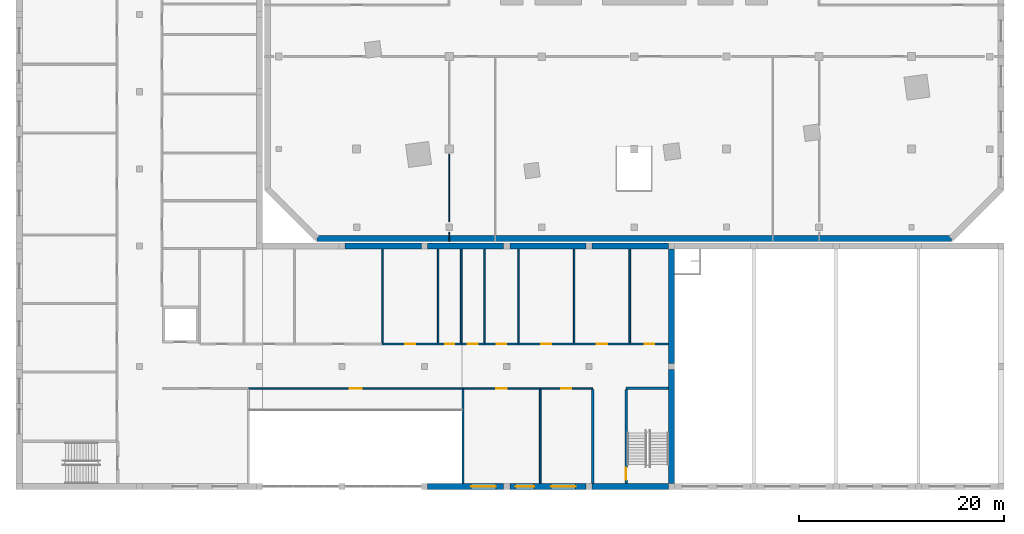
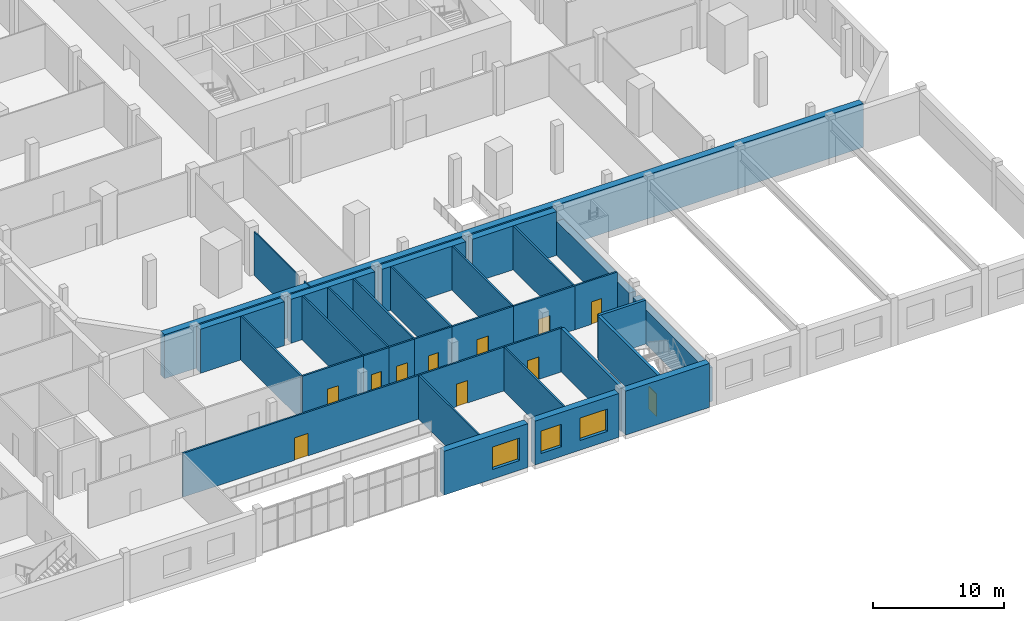
# One storey, part 10 of 27: 34 walls, 11 doors, 3 windows, 14 openings.
"""IFC4 building model written with IfcOpenShell, lengths in metres."""

import ifcopenshell
import ifcopenshell.guid

model = None  # the IFC model being written
_history = None  # IfcOwnerHistory: only IFC2X3 demands one
_inside = {}  # id of a spatial element -> (the spatial element, [elements in it])
_under = {}  # id of a project, library or spatial element -> (it, [spatial elements below it])
_declared = {}  # id of a project -> (the project, [libraries it declares])
_typed = {}  # id of a type object -> (the type object, [elements of that type])
_made_of = {}  # id of a material, layer set ... -> (it, [elements and type objects made of it])


def new_model(schema):
    """Start an empty IFC model of exactly this schema.

    Asked for "IFC4X3", IfcOpenShell would pick the latest addendum, in which some entities
    have other attributes; the version numbers below select the first issue.
    IFC2X3 requires an IfcOwnerHistory on every rooted entity: one is made here for all.
    """
    global model, _history
    if schema == "IFC4X3":
        model = ifcopenshell.file(schema_version=(4, 3, 0, 0))
    else:
        model = ifcopenshell.file(schema=schema)
    _inside.clear()
    _under.clear()
    _declared.clear()
    _typed.clear()
    _made_of.clear()
    _history = None
    if model.schema == "IFC2X3":
        org = make("IfcOrganization", Name="unknown")
        user = make(
            "IfcPersonAndOrganization",
            ThePerson=make("IfcPerson", FamilyName="unknown"),
            TheOrganization=org,
        )
        app = make(
            "IfcApplication",
            ApplicationDeveloper=org,
            Version="unknown",
            ApplicationFullName="unknown",
            ApplicationIdentifier="unknown",
        )
        _history = make(
            "IfcOwnerHistory",
            OwningUser=user,
            OwningApplication=app,
            ChangeAction="ADDED",
            CreationDate=0,
        )
    return model


def make(cls, **values):
    """One entity of the class cls with the attributes given. An attribute that is None is left unset."""
    return model.create_entity(
        cls, **{name: value for name, value in values.items() if value is not None}
    )


def rooted(cls, **values):
    """An entity with a GlobalId (a new one), such as an element, a storey or a relation."""
    return make(cls, GlobalId=ifcopenshell.guid.new(), OwnerHistory=_history, **values)


def si_unit(unit_type, name, prefix=None):
    """IfcSIUnit, for example si_unit("LENGTHUNIT", "METRE", prefix="MILLI")."""
    return make("IfcSIUnit", UnitType=unit_type, Prefix=prefix, Name=name)


def assignment(units):
    """IfcUnitAssignment: the units of a project."""
    return None if units is None else make("IfcUnitAssignment", Units=units)


def point(xyz):
    """IfcCartesianPoint."""
    return None if xyz is None else make("IfcCartesianPoint", Coordinates=xyz)


def direction(xyz):
    """IfcDirection."""
    return None if xyz is None else make("IfcDirection", DirectionRatios=xyz)


def frame(location, z_axis=None, x_axis=None):
    """IfcAxis2Placement3D, a coordinate frame: its origin and axes. An axis left out is left unset."""
    return make(
        "IfcAxis2Placement3D",
        Location=point(location),
        Axis=direction(z_axis),
        RefDirection=direction(x_axis),
    )


def frame_2d(location, x_axis=None):
    """IfcAxis2Placement2D, a coordinate frame in the plane: its origin and x axis."""
    return make(
        "IfcAxis2Placement2D", Location=point(location), RefDirection=direction(x_axis)
    )


def origin():
    """The frame at (0, 0, 0) with its axes left unset."""
    return frame((0.0, 0.0, 0.0))


def place(relative_to, where):
    """IfcLocalPlacement: puts the frame where relative to a parent placement (None: the world)."""
    return make(
        "IfcLocalPlacement", PlacementRelTo=relative_to, RelativePlacement=where
    )


def context(
    kind, dimensions, precision=None, world=None, true_north=None, identifier=None
):
    """IfcGeometricRepresentationContext, for example the 3D "Model" context."""
    return make(
        "IfcGeometricRepresentationContext",
        ContextIdentifier=identifier,
        ContextType=kind,
        CoordinateSpaceDimension=dimensions,
        Precision=precision,
        WorldCoordinateSystem=world,
        TrueNorth=true_north,
    )


def subcontext(parent, identifier, kind, view, scale=None):
    """IfcGeometricRepresentationSubContext, for example "Body" below "Model"."""
    return make(
        "IfcGeometricRepresentationSubContext",
        ContextIdentifier=identifier,
        ContextType=kind,
        ParentContext=parent,
        TargetScale=scale,
        TargetView=view,
    )


def project(units=None, contexts=None):
    """IfcProject with its units and contexts."""
    return rooted(
        "IfcProject",
        Name="project",
        RepresentationContexts=contexts,
        UnitsInContext=assignment(units),
    )


def spatial(cls, under=None, at=None, **own):
    """A site, building, storey or space (cls), placed at a placement, below another one or the project."""
    s = rooted(cls, ObjectPlacement=at, **own)
    if under is not None:
        _under.setdefault(under.id(), (under, []))[1].append(s)
    return s


def profile(cls, at=None, kind="AREA", **sizes):
    """A parametric profile (cls). Its sizes go by their IFC names, for example OverallWidth=200.0."""
    return make(cls, ProfileType=kind, Position=at, **sizes)


def rectangle(**sizes):
    """IfcRectangleProfileDef."""
    return profile("IfcRectangleProfileDef", **sizes)


def extrude(swept, where, along, depth):
    """IfcExtrudedAreaSolid: the profile swept, set in the frame where, extruded along a direction by depth."""
    return make(
        "IfcExtrudedAreaSolid",
        SweptArea=swept,
        Position=where,
        ExtrudedDirection=direction(along),
        Depth=depth,
    )


def shape(context_of_items, identifier, shape_type, items):
    """IfcShapeRepresentation: the items that make up one representation, for example the "Body"."""
    return make(
        "IfcShapeRepresentation",
        ContextOfItems=context_of_items,
        RepresentationIdentifier=identifier,
        RepresentationType=shape_type,
        Items=items,
    )


def material(Name=None, Category=None):
    """IfcMaterial."""
    return make("IfcMaterial", Name=Name, Category=Category)


def layer(
    of_material, thickness, ventilated=None, Name=None, Category=None, Priority=None
):
    """IfcMaterialLayer: one layer of a wall or slab, of a material (None: an air gap)."""
    return make(
        "IfcMaterialLayer",
        Material=of_material,
        LayerThickness=thickness,
        IsVentilated=ventilated,
        Name=Name,
        Category=Category,
        Priority=Priority,
    )


def layer_set(layers, Name=None):
    """IfcMaterialLayerSet."""
    return make("IfcMaterialLayerSet", MaterialLayers=layers, LayerSetName=Name)


def made_of(thing, what):
    """Note that an element or type object is made of a material, layer set ...; save() writes the relation."""
    if what is not None:
        _made_of.setdefault(what.id(), (what, []))[1].append(thing)
    return thing


def type_object(cls, material=None, **own):
    """A type object (cls), such as IfcWallType, which elements share."""
    return made_of(rooted(cls, **own), material)


def element(
    cls,
    number,
    at=None,
    inside=None,
    cuts=None,
    type_object=None,
    material=None,
    context=None,
    identifier="Body",
    shape_type=None,
    held_by="IfcProductDefinitionShape",
    body=None,
    shapes=None,
    **own,
):
    """One element of the class cls, such as IfcWall. Its Tag is "e" and its number.

    at: its placement. inside: the storey or other place that contains it. cuts: it is an
    opening in that element (IfcRelVoidsElement). A single representation is given by context,
    identifier, shape_type and body (its items); several are given by shapes. held_by: the class
    of the entity that holds the representations. save() writes the other relations.
    """
    e = rooted(cls, Tag="e%d" % number, ObjectPlacement=at, **own)
    if body is not None:
        shapes = [shape(context, identifier, shape_type, body)]
    if shapes is not None:
        e.Representation = make(held_by, Representations=shapes)
    if inside is not None:
        _inside.setdefault(inside.id(), (inside, []))[1].append(e)
    if cuts is not None:
        rooted(
            "IfcRelVoidsElement", RelatingBuildingElement=cuts, RelatedOpeningElement=e
        )
    if type_object is not None:
        _typed.setdefault(type_object.id(), (type_object, []))[1].append(e)
    return made_of(e, material)


def fill(opening, filler):
    """IfcRelFillsElement: the door or window that sits in an opening."""
    return rooted(
        "IfcRelFillsElement",
        RelatingOpeningElement=opening,
        RelatedBuildingElement=filler,
    )


def aggregate(whole, parts):
    """IfcRelAggregates: a whole, such as a stair, and the parts it consists of."""
    return rooted("IfcRelAggregates", RelatingObject=whole, RelatedObjects=parts)


def save(model, path):
    """Write the relations noted so far, then the file.

    IfcRelAggregates (storeys below a building ...), IfcRelContainedInSpatialStructure (elements
    in a storey), IfcRelDefinesByType, IfcRelAssociatesMaterial and IfcRelDeclares: one each for
    every whole, place, type object, material and project.
    """
    for whole, parts in _under.values():
        aggregate(whole, parts)
    for where, things in _inside.values():
        rooted(
            "IfcRelContainedInSpatialStructure",
            RelatedElements=things,
            RelatingStructure=where,
        )
    for kind, things in _typed.values():
        rooted("IfcRelDefinesByType", RelatedObjects=things, RelatingType=kind)
    for what, things in _made_of.values():
        rooted("IfcRelAssociatesMaterial", RelatedObjects=things, RelatingMaterial=what)
    for by, libraries in _declared.values():
        rooted("IfcRelDeclares", RelatingContext=by, RelatedDefinitions=libraries)
    model.write(path)


model = new_model("IFC4")

# Units and contexts
model_context = context("Model", 3, precision=1e-05, world=origin(), true_north=direction((0.0, 1.0)))
body_context = subcontext(model_context, "Body", "Model", "MODEL_VIEW")
ifc_project = project(units=[si_unit("LENGTHUNIT", "METRE"), si_unit("AREAUNIT", "SQUARE_METRE"), si_unit("VOLUMEUNIT", "CUBIC_METRE"), si_unit("PLANEANGLEUNIT", "RADIAN"), si_unit("MASSUNIT", "GRAM", prefix="KILO")], contexts=[model_context])

# Site, building, storey
site_placement = place(None, origin())
site = spatial("IfcSite", under=ifc_project, at=site_placement, CompositionType="ELEMENT")
building_placement = place(site_placement, origin())
building = spatial("IfcBuilding", under=site, at=building_placement, Name="Dilmun Exchange Tower", CompositionType="ELEMENT")
storey_placement = place(building_placement, frame((0.0, 0.0, 4.5)))
storey = spatial("IfcBuildingStorey", under=building, at=storey_placement, Name="L01", CompositionType="ELEMENT", Elevation=4.5)

# Walls
ifc_material_1 = material(Name="Partition 100 gypsum")
ifc_layer_1 = layer(ifc_material_1, 0.10009765625)
ifc_layer_set_1 = layer_set([ifc_layer_1], Name="Partition 100 gypsum")
wall_type_1 = type_object("IfcWallType", Name="Partition 100 gypsum", PredefinedType="PARTITIONING", material=ifc_layer_set_1)
wall_1_placement = place(storey_placement, frame((-18.0, -36.0, 0.0), z_axis=(0.0, 0.0, 1.0), x_axis=(0.0, 1.0, 0.0)))
element("IfcWall", 1, at=wall_1_placement, inside=storey, type_object=wall_type_1, Name="L01 partition", PredefinedType="PARTITIONING", context=body_context, shape_type="SweptSolid", body=[
    extrude(rectangle(XDim=0.89990234375, YDim=0.10009765625, at=frame_2d((0.449951171875, 0.0))), origin(), (0.0, 0.0, 1.0), 4.10009765625),
])
wall_2_placement = place(storey_placement, frame((-18.0, -34.10009765625, 0.0), z_axis=(0.0, 0.0, 1.0), x_axis=(0.0, 1.0, 0.0)))
element("IfcWall", 2, at=wall_2_placement, inside=storey, type_object=wall_type_1, Name="L01 partition", PredefinedType="PARTITIONING", context=body_context, shape_type="SweptSolid", body=[
    extrude(rectangle(XDim=6.60009765625, YDim=0.10009765625, at=frame_2d((3.300048828125, 0.0))), origin(), (0.0, 0.0, 1.0), 4.10009765625),
])
ifc_material_2 = material(Name="Precast concrete C50/60", Category="concrete")
ifc_layer_2 = layer(ifc_material_2, 0.60009765625)
ifc_layer_set_2 = layer_set([ifc_layer_2], Name="Precast concrete C50/60")
wall_type_2 = type_object("IfcWallType", Name="Precast stone-clad wall 600", PredefinedType="STANDARD", material=ifc_layer_set_2)
wall_3_placement = place(storey_placement, frame((-30.875732421875, -35.699951171875, 0.0), z_axis=(0.0, 0.0, 1.0), x_axis=(1.0, 0.0, 0.0)))
element("IfcWall", 3, at=wall_3_placement, inside=storey, type_object=wall_type_2, Name="Facade wall L01-00-0", PredefinedType="STANDARD", context=body_context, shape_type="SweptSolid", body=[
    extrude(rectangle(XDim=61.75146484375, YDim=0.60009765625, at=frame_2d((30.875732421875, 0.0))), origin(), (0.0, 0.0, 1.0), 4.10009765625),
])
ifc_material_3 = material(Name="Precast concrete C40/50", Category="concrete")
ifc_layer_3 = layer(ifc_material_3, 0.60009765625)
ifc_layer_set_3 = layer_set([ifc_layer_3], Name="Precast concrete C40/50")
wall_type_3 = type_object("IfcWallType", Name="School external wall 600 precast C40/50", PredefinedType="STANDARD", material=ifc_layer_set_3)
wall_4_placement = place(storey_placement, frame((-28.13330078125, -36.449951171875, 0.0), z_axis=(0.0, 0.0, 1.0), x_axis=(1.0, 0.0, 0.0)))
element("IfcWall", 4, at=wall_4_placement, inside=storey, type_object=wall_type_3, Name="School external wall", PredefinedType="STANDARD", context=body_context, shape_type="SweptSolid", body=[
    extrude(rectangle(XDim=7.41650390625, YDim=0.60009765625, at=frame_2d((3.708251953125, 0.0))), origin(), (0.0, 0.0, 1.0), 4.10009765625),
])
for number, where, z_axis, x_axis, name in (
    (5, (-20.11669921875, -36.449951171875, 0.0), (0.0, 0.0, 1.0), (1.0, 0.0, 0.0), "School external wall"),
    (6, (-12.10009765625, -36.449951171875, 0.0), (0.0, 0.0, 1.0), (1.0, 0.0, 0.0), "School external wall"),
):
    element("IfcWall", number, at=place(storey_placement, frame(where, z_axis=z_axis, x_axis=x_axis)), inside=storey, type_object=wall_type_3, Name=name, PredefinedType="STANDARD", context=body_context, shape_type="SweptSolid", body=[
        extrude(rectangle(XDim=7.416748046875, YDim=0.60009765625, at=frame_2d((3.70849609375, 0.0))), origin(), (0.0, 0.0, 1.0), 4.10009765625),
    ])
for number, where, z_axis, x_axis, name in (
    (7, (-4.083251953125, -36.449951171875, 0.0), (0.0, 0.0, 1.0), (1.0, 0.0, 0.0), "School external wall"),
    (8, (3.333251953125, -59.85009765625, 0.0), (0.0, 0.0, 1.0), (-1.0, 0.0, 0.0), "School external wall"),
):
    element("IfcWall", number, at=place(storey_placement, frame(where, z_axis=z_axis, x_axis=x_axis)), inside=storey, type_object=wall_type_3, Name=name, PredefinedType="STANDARD", context=body_context, shape_type="SweptSolid", body=[
        extrude(rectangle(XDim=7.41650390625, YDim=0.60009765625, at=frame_2d((3.708251953125, 0.0))), origin(), (0.0, 0.0, 1.0), 4.10009765625),
    ])

# Wall, openings, windows
wall_5_placement = place(storey_placement, frame((-4.683349609375, -59.85009765625, 0.0), z_axis=(0.0, 0.0, 1.0), x_axis=(-1.0, 0.0, 0.0)))
wall_5 = element("IfcWall", 9, at=wall_5_placement, inside=storey, type_object=wall_type_3, Name="School external wall", PredefinedType="STANDARD", context=body_context, shape_type="SweptSolid", body=[
    extrude(rectangle(XDim=7.416748046875, YDim=0.60009765625, at=frame_2d((3.70849609375, 0.0))), origin(), (0.0, 0.0, 1.0), 4.10009765625),
])
opening_1_placement = place(wall_5_placement, frame((5.057373046875, 0.0, 0.89990234375)))
opening_1 = element("IfcOpeningElement", 10, at=opening_1_placement, cuts=wall_5, Name="Opening SCH-W18", PredefinedType="OPENING", context=body_context, shape_type="SweptSolid", body=[
    extrude(rectangle(XDim=1.800048828125, YDim=2.10009765625, at=frame_2d((0.89990234375, 1.050048828125))), frame((0.0, 0.31005859375, 0.0), z_axis=(0.0, -1.0, 0.0), x_axis=(1.0, 0.0, 0.0)), (0.0, 0.0, 1.0), 0.6201171875),
])
opening_2_placement = place(wall_5_placement, frame((1.004150390625, 0.0, 0.89990234375)))
opening_2 = element("IfcOpeningElement", 11, at=opening_2_placement, cuts=wall_5, Name="Opening SCH-W24", PredefinedType="OPENING", context=body_context, shape_type="SweptSolid", body=[
    extrude(rectangle(XDim=2.39990234375, YDim=2.10009765625, at=frame_2d((1.199951171875, 1.050048828125))), frame((0.0, 0.31005859375, 0.0), z_axis=(0.0, -1.0, 0.0), x_axis=(1.0, 0.0, 0.0)), (0.0, 0.0, 1.0), 0.6201171875),
])
ifc_material_4 = material(Name="Clear low-emissivity glass in aluminium frame", Category="aluminium")
window_type_1 = type_object("IfcWindowType", Name="School window 1800 x 2100", PartitioningType="DOUBLE_PANEL_VERTICAL", PredefinedType="WINDOW", material=ifc_material_4)
window_1_placement = place(opening_1_placement, origin())
window_1 = element("IfcWindow", 12, at=window_1_placement, inside=storey, type_object=window_type_1, Name="School window", OverallHeight=2.10009765625, OverallWidth=1.800048828125, PartitioningType="SINGLE_PANEL", PredefinedType="WINDOW", context=body_context, shape_type="SweptSolid", body=[
    extrude(rectangle(XDim=1.800048828125, YDim=2.10009765625, at=frame_2d((0.89990234375, 1.050048828125))), frame((0.0, 0.030029296875, 0.0), z_axis=(0.0, -1.0, 0.0), x_axis=(1.0, 0.0, 0.0)), (0.0, 0.0, 1.0), 0.06005859375),
])
fill(opening_1, window_1)
window_type_2 = type_object("IfcWindowType", Name="School window 2400 x 2100", PartitioningType="DOUBLE_PANEL_VERTICAL", PredefinedType="WINDOW", material=ifc_material_4)
window_2_placement = place(opening_2_placement, origin())
window_2 = element("IfcWindow", 13, at=window_2_placement, inside=storey, type_object=window_type_2, Name="School window", OverallHeight=2.10009765625, OverallWidth=2.39990234375, PartitioningType="SINGLE_PANEL", PredefinedType="WINDOW", context=body_context, shape_type="SweptSolid", body=[
    extrude(rectangle(XDim=2.39990234375, YDim=2.10009765625, at=frame_2d((1.199951171875, 1.050048828125))), frame((0.0, 0.030029296875, 0.0), z_axis=(0.0, -1.0, 0.0), x_axis=(1.0, 0.0, 0.0)), (0.0, 0.0, 1.0), 0.06005859375),
])
fill(opening_2, window_2)

# Wall, opening, window
wall_6_placement = place(storey_placement, frame((-12.699951171875, -59.85009765625, 0.0), z_axis=(0.0, 0.0, 1.0), x_axis=(-1.0, 0.0, 0.0)))
wall_6 = element("IfcWall", 14, at=wall_6_placement, inside=storey, type_object=wall_type_3, Name="School external wall", PredefinedType="STANDARD", context=body_context, shape_type="SweptSolid", body=[
    extrude(rectangle(XDim=7.416748046875, YDim=0.60009765625, at=frame_2d((3.70849609375, 0.0))), origin(), (0.0, 0.0, 1.0), 4.10009765625),
])
opening_3_placement = place(wall_6_placement, frame((0.75634765625, 0.0, 0.89990234375)))
opening_3 = element("IfcOpeningElement", 15, at=opening_3_placement, cuts=wall_6, Name="Opening SCH-W24", PredefinedType="OPENING", context=body_context, shape_type="SweptSolid", body=[
    extrude(rectangle(XDim=2.39990234375, YDim=2.10009765625, at=frame_2d((1.199951171875, 1.050048828125))), frame((0.0, 0.31005859375, 0.0), z_axis=(0.0, -1.0, 0.0), x_axis=(1.0, 0.0, 0.0)), (0.0, 0.0, 1.0), 0.6201171875),
])
window_3_placement = place(opening_3_placement, origin())
window_3 = element("IfcWindow", 16, at=window_3_placement, inside=storey, type_object=window_type_2, Name="School window", OverallHeight=2.10009765625, OverallWidth=2.39990234375, PartitioningType="SINGLE_PANEL", PredefinedType="WINDOW", context=body_context, shape_type="SweptSolid", body=[
    extrude(rectangle(XDim=2.39990234375, YDim=2.10009765625, at=frame_2d((1.199951171875, 1.050048828125))), frame((0.0, 0.030029296875, 0.0), z_axis=(0.0, -1.0, 0.0), x_axis=(1.0, 0.0, 0.0)), (0.0, 0.0, 1.0), 0.06005859375),
])
fill(opening_3, window_3)

# Walls
ifc_material_5 = material(Name="Gypsum board on steel studs", Category="steel")
ifc_layer_4 = layer(ifc_material_5, 0.14990234375)
ifc_layer_set_4 = layer_set([ifc_layer_4], Name="Gypsum board on steel studs")
wall_type_4 = type_object("IfcWallType", Name="School partition 150 gypsum board", PredefinedType="PARTITIONING", material=ifc_layer_set_4)
for number, where, z_axis, x_axis, name in (
    (17, (-16.657958984375, -59.550048828125, 0.0), (0.0, 0.0, 1.0), (0.0, 1.0, 0.0), "School partition"),
    (18, (-9.136474609375, -59.550048828125, 0.0), (0.0, 0.0, 1.0), (0.0, 1.0, 0.0), "School partition"),
):
    element("IfcWall", number, at=place(storey_placement, frame(where, z_axis=z_axis, x_axis=x_axis)), inside=storey, type_object=wall_type_4, Name=name, PredefinedType="PARTITIONING", context=body_context, shape_type="SweptSolid", body=[
        extrude(rectangle(XDim=9.150146484375, YDim=0.14990234375, at=frame_2d((4.5751953125, 0.0))), origin(), (0.0, 0.0, 1.0), 4.10009765625),
    ])

# Wall, opening, door
wall_7_placement = place(storey_placement, frame((-37.534423828125, -50.324951171875, 0.0), z_axis=(0.0, 0.0, 1.0), x_axis=(1.0, 0.0, 0.0)))
wall_7 = element("IfcWall", 19, at=wall_7_placement, inside=storey, type_object=wall_type_4, Name="School corridor wall", PredefinedType="PARTITIONING", context=body_context, shape_type="SweptSolid", body=[
    extrude(rectangle(XDim=20.87646484375, YDim=0.14990234375, at=frame_2d((10.438232421875, 0.0))), origin(), (0.0, 0.0, 1.0), 4.10009765625),
])
opening_4_placement = place(wall_7_placement, frame((9.83837890625, 0.0, 0.0)))
opening_4 = element("IfcOpeningElement", 20, at=opening_4_placement, cuts=wall_7, Name="Opening SCH-D3", PredefinedType="OPENING", context=body_context, shape_type="SweptSolid", body=[
    extrude(rectangle(XDim=1.199951171875, YDim=2.10009765625, at=frame_2d((0.60009765625, 1.050048828125))), frame((0.0, 0.0849609375, 0.0), z_axis=(0.0, -1.0, 0.0), x_axis=(1.0, 0.0, 0.0)), (0.0, 0.0, 1.0), 0.169921875),
])
ifc_material_6 = material(Name="Timber door leaf in steel frame", Category="steel")
door_type_1 = type_object("IfcDoorType", Name="School stair door FD60 1200 x 2100", OperationType="NOTDEFINED", PredefinedType="DOOR", material=ifc_material_6)
door_1_placement = place(opening_4_placement, origin())
door_1 = element("IfcDoor", 21, at=door_1_placement, inside=storey, type_object=door_type_1, Name="Main hall gallery door", OperationType="SINGLE_SWING_LEFT", OverallHeight=2.10009765625, OverallWidth=1.199951171875, PredefinedType="DOOR", context=body_context, shape_type="SweptSolid", body=[
    extrude(rectangle(XDim=1.199951171875, YDim=2.10009765625, at=frame_2d((0.60009765625, 1.050048828125))), frame((0.0, 0.02490234375, 0.0), z_axis=(0.0, -1.0, 0.0), x_axis=(1.0, 0.0, 0.0)), (0.0, 0.0, 1.0), 0.050048828125),
])
fill(opening_4, door_1)

wall_8_placement = place(storey_placement, frame((-16.657958984375, -50.324951171875, 0.0), z_axis=(0.0, 0.0, 1.0), x_axis=(1.0, 0.0, 0.0)))
wall_8 = element("IfcWall", 22, at=wall_8_placement, inside=storey, type_object=wall_type_4, Name="School corridor wall", PredefinedType="PARTITIONING", context=body_context, shape_type="SweptSolid", body=[
    extrude(rectangle(XDim=7.521484375, YDim=0.14990234375, at=frame_2d((3.7607421875, 0.0))), origin(), (0.0, 0.0, 1.0), 4.10009765625),
])
opening_5_placement = place(wall_8_placement, frame((3.2607421875, 0.0, 0.0)))
opening_5 = element("IfcOpeningElement", 23, at=opening_5_placement, cuts=wall_8, Name="Opening SCH-D1", PredefinedType="OPENING", context=body_context, shape_type="SweptSolid", body=[
    extrude(rectangle(XDim=1.0, YDim=2.10009765625, at=frame_2d((0.5, 1.050048828125))), frame((0.0, 0.0849609375, 0.0), z_axis=(0.0, -1.0, 0.0), x_axis=(1.0, 0.0, 0.0)), (0.0, 0.0, 1.0), 0.169921875),
])
door_type_2 = type_object("IfcDoorType", Name="School door FD30S 1000 x 2100", OperationType="NOTDEFINED", PredefinedType="DOOR", material=ifc_material_6)
door_2_placement = place(opening_5_placement, origin())
door_2 = element("IfcDoor", 24, at=door_2_placement, inside=storey, type_object=door_type_2, Name="Design and technology workshop door", OperationType="SINGLE_SWING_RIGHT", OverallHeight=2.10009765625, OverallWidth=1.0, PredefinedType="DOOR", context=body_context, shape_type="SweptSolid", body=[
    extrude(rectangle(XDim=1.0, YDim=2.10009765625, at=frame_2d((0.5, 1.050048828125))), frame((0.0, 0.02490234375, 0.0), z_axis=(0.0, -1.0, 0.0), x_axis=(1.0, 0.0, 0.0)), (0.0, 0.0, 1.0), 0.050048828125),
])
fill(opening_5, door_2)

wall_9_placement = place(storey_placement, frame((-9.136474609375, -50.324951171875, 0.0), z_axis=(0.0, 0.0, 1.0), x_axis=(1.0, 0.0, 0.0)))
wall_9 = element("IfcWall", 25, at=wall_9_placement, inside=storey, type_object=wall_type_4, Name="School corridor wall", PredefinedType="PARTITIONING", context=body_context, shape_type="SweptSolid", body=[
    extrude(rectangle(XDim=5.114501953125, YDim=0.14990234375, at=frame_2d((2.55712890625, 0.0))), origin(), (0.0, 0.0, 1.0), 4.10009765625),
])
opening_6_placement = place(wall_9_placement, frame((2.0322265625, 0.0, 0.0)))
opening_6 = element("IfcOpeningElement", 26, at=opening_6_placement, cuts=wall_9, Name="Opening SCH-D1", PredefinedType="OPENING", context=body_context, shape_type="SweptSolid", body=[
    extrude(rectangle(XDim=1.0, YDim=2.10009765625, at=frame_2d((0.5, 1.050048828125))), frame((0.0, 0.0849609375, 0.0), z_axis=(0.0, -1.0, 0.0), x_axis=(1.0, 0.0, 0.0)), (0.0, 0.0, 1.0), 0.169921875),
])
door_3_placement = place(opening_6_placement, origin())
door_3 = element("IfcDoor", 27, at=door_3_placement, inside=storey, type_object=door_type_2, Name="Textiles room door", OperationType="SINGLE_SWING_LEFT", OverallHeight=2.10009765625, OverallWidth=1.0, PredefinedType="DOOR", context=body_context, shape_type="SweptSolid", body=[
    extrude(rectangle(XDim=1.0, YDim=2.10009765625, at=frame_2d((0.5, 1.050048828125))), frame((0.0, 0.02490234375, 0.0), z_axis=(0.0, -1.0, 0.0), x_axis=(1.0, 0.0, 0.0)), (0.0, 0.0, 1.0), 0.050048828125),
])
fill(opening_6, door_3)

# Walls
for number, where, z_axis, x_axis, name in (
    (28, (-24.497802734375, -45.89990234375, 0.0), (0.0, 0.0, 1.0), (0.0, 1.0, 0.0), "School partition"),
    (29, (-19.081787109375, -45.89990234375, 0.0), (0.0, 0.0, 1.0), (0.0, 1.0, 0.0), "School partition"),
    (30, (-16.82568359375, -45.89990234375, 0.0), (0.0, 0.0, 1.0), (0.0, 1.0, 0.0), "School partition"),
    (31, (-14.569091796875, -45.89990234375, 0.0), (0.0, 0.0, 1.0), (0.0, 1.0, 0.0), "School partition"),
    (32, (-11.259765625, -45.89990234375, 0.0), (0.0, 0.0, 1.0), (0.0, 1.0, 0.0), "School partition"),
    (33, (-5.843994140625, -45.89990234375, 0.0), (0.0, 0.0, 1.0), (0.0, 1.0, 0.0), "School partition"),
    (34, (-0.427978515625, -45.89990234375, 0.0), (0.0, 0.0, 1.0), (0.0, 1.0, 0.0), "School partition"),
):
    element("IfcWall", number, at=place(storey_placement, frame(where, z_axis=z_axis, x_axis=x_axis)), inside=storey, type_object=wall_type_4, Name=name, PredefinedType="PARTITIONING", context=body_context, shape_type="SweptSolid", body=[
        extrude(rectangle(XDim=9.14990234375, YDim=0.14990234375, at=frame_2d((4.574951171875, 0.0))), origin(), (0.0, 0.0, 1.0), 4.10009765625),
    ])

# Wall, opening, door
wall_10_placement = place(storey_placement, frame((-24.497802734375, -45.97509765625, 0.0), z_axis=(0.0, 0.0, 1.0), x_axis=(1.0, 0.0, 0.0)))
wall_10 = element("IfcWall", 35, at=wall_10_placement, inside=storey, type_object=wall_type_4, Name="School corridor wall", PredefinedType="PARTITIONING", context=body_context, shape_type="SweptSolid", body=[
    extrude(rectangle(XDim=5.416015625, YDim=0.14990234375, at=frame_2d((2.7080078125, 0.0))), origin(), (0.0, 0.0, 1.0), 4.10009765625),
])
opening_7_placement = place(wall_10_placement, frame((2.2080078125, 0.0, 0.0)))
opening_7 = element("IfcOpeningElement", 36, at=opening_7_placement, cuts=wall_10, Name="Opening SCH-D1", PredefinedType="OPENING", context=body_context, shape_type="SweptSolid", body=[
    extrude(rectangle(XDim=1.0, YDim=2.10009765625, at=frame_2d((0.5, 1.050048828125))), frame((0.0, 0.0849609375, 0.0), z_axis=(0.0, -1.0, 0.0), x_axis=(1.0, 0.0, 0.0)), (0.0, 0.0, 1.0), 0.169921875),
])
door_4_placement = place(opening_7_placement, origin())
door_4 = element("IfcDoor", 37, at=door_4_placement, inside=storey, type_object=door_type_2, Name="Staff workroom door", OperationType="SINGLE_SWING_LEFT", OverallHeight=2.10009765625, OverallWidth=1.0, PredefinedType="DOOR", context=body_context, shape_type="SweptSolid", body=[
    extrude(rectangle(XDim=1.0, YDim=2.10009765625, at=frame_2d((0.5, 1.050048828125))), frame((0.0, 0.02490234375, 0.0), z_axis=(0.0, -1.0, 0.0), x_axis=(1.0, 0.0, 0.0)), (0.0, 0.0, 1.0), 0.050048828125),
])
fill(opening_7, door_4)

wall_11_placement = place(storey_placement, frame((-19.081787109375, -45.97509765625, 0.0), z_axis=(0.0, 0.0, 1.0), x_axis=(1.0, 0.0, 0.0)))
wall_11 = element("IfcWall", 38, at=wall_11_placement, inside=storey, type_object=wall_type_4, Name="School corridor wall", PredefinedType="PARTITIONING", context=body_context, shape_type="SweptSolid", body=[
    extrude(rectangle(XDim=2.256103515625, YDim=0.14990234375, at=frame_2d((1.1279296875, 0.0))), origin(), (0.0, 0.0, 1.0), 4.10009765625),
])
opening_8_placement = place(wall_11_placement, frame((0.67822265625, 0.0, 0.0)))
opening_8 = element("IfcOpeningElement", 39, at=opening_8_placement, cuts=wall_11, Name="Opening SCH-D2", PredefinedType="OPENING", context=body_context, shape_type="SweptSolid", body=[
    extrude(rectangle(XDim=0.89990234375, YDim=2.10009765625, at=frame_2d((0.449951171875, 1.050048828125))), frame((0.0, 0.0849609375, 0.0), z_axis=(0.0, -1.0, 0.0), x_axis=(1.0, 0.0, 0.0)), (0.0, 0.0, 1.0), 0.169921875),
])
door_type_3 = type_object("IfcDoorType", Name="School door FD30S 900 x 2100", OperationType="NOTDEFINED", PredefinedType="DOOR", material=ifc_material_6)
door_5_placement = place(opening_8_placement, origin())
door_5 = element("IfcDoor", 40, at=door_5_placement, inside=storey, type_object=door_type_3, Name="Staff WC door", OperationType="SINGLE_SWING_RIGHT", OverallHeight=2.10009765625, OverallWidth=0.89990234375, PredefinedType="DOOR", context=body_context, shape_type="SweptSolid", body=[
    extrude(rectangle(XDim=0.89990234375, YDim=2.10009765625, at=frame_2d((0.449951171875, 1.050048828125))), frame((0.0, 0.02490234375, 0.0), z_axis=(0.0, -1.0, 0.0), x_axis=(1.0, 0.0, 0.0)), (0.0, 0.0, 1.0), 0.050048828125),
])
fill(opening_8, door_5)

wall_12_placement = place(storey_placement, frame((-16.82568359375, -45.97509765625, 0.0), z_axis=(0.0, 0.0, 1.0), x_axis=(1.0, 0.0, 0.0)))
wall_12 = element("IfcWall", 41, at=wall_12_placement, inside=storey, type_object=wall_type_4, Name="School corridor wall", PredefinedType="PARTITIONING", context=body_context, shape_type="SweptSolid", body=[
    extrude(rectangle(XDim=2.256591796875, YDim=0.14990234375, at=frame_2d((1.12841796875, 0.0))), origin(), (0.0, 0.0, 1.0), 4.10009765625),
])
opening_9_placement = place(wall_12_placement, frame((0.628173828125, 0.0, 0.0)))
opening_9 = element("IfcOpeningElement", 42, at=opening_9_placement, cuts=wall_12, Name="Opening SCH-D1", PredefinedType="OPENING", context=body_context, shape_type="SweptSolid", body=[
    extrude(rectangle(XDim=1.0, YDim=2.10009765625, at=frame_2d((0.5, 1.050048828125))), frame((0.0, 0.0849609375, 0.0), z_axis=(0.0, -1.0, 0.0), x_axis=(1.0, 0.0, 0.0)), (0.0, 0.0, 1.0), 0.169921875),
])
door_6_placement = place(opening_9_placement, origin())
door_6 = element("IfcDoor", 43, at=door_6_placement, inside=storey, type_object=door_type_2, Name="Accessible WC door", OperationType="SINGLE_SWING_LEFT", OverallHeight=2.10009765625, OverallWidth=1.0, PredefinedType="DOOR", context=body_context, shape_type="SweptSolid", body=[
    extrude(rectangle(XDim=1.0, YDim=2.10009765625, at=frame_2d((0.5, 1.050048828125))), frame((0.0, 0.02490234375, 0.0), z_axis=(0.0, -1.0, 0.0), x_axis=(1.0, 0.0, 0.0)), (0.0, 0.0, 1.0), 0.050048828125),
])
fill(opening_9, door_6)

wall_13_placement = place(storey_placement, frame((-14.569091796875, -45.97509765625, 0.0), z_axis=(0.0, 0.0, 1.0), x_axis=(1.0, 0.0, 0.0)))
wall_13 = element("IfcWall", 44, at=wall_13_placement, inside=storey, type_object=wall_type_4, Name="School corridor wall", PredefinedType="PARTITIONING", context=body_context, shape_type="SweptSolid", body=[
    extrude(rectangle(XDim=3.309326171875, YDim=0.14990234375, at=frame_2d((1.65478515625, 0.0))), origin(), (0.0, 0.0, 1.0), 4.10009765625),
])
opening_10_placement = place(wall_13_placement, frame((1.204833984375, 0.0, 0.0)))
opening_10 = element("IfcOpeningElement", 45, at=opening_10_placement, cuts=wall_13, Name="Opening SCH-D2", PredefinedType="OPENING", context=body_context, shape_type="SweptSolid", body=[
    extrude(rectangle(XDim=0.89990234375, YDim=2.10009765625, at=frame_2d((0.449951171875, 1.050048828125))), frame((0.0, 0.0849609375, 0.0), z_axis=(0.0, -1.0, 0.0), x_axis=(1.0, 0.0, 0.0)), (0.0, 0.0, 1.0), 0.169921875),
])
door_7_placement = place(opening_10_placement, origin())
door_7 = element("IfcDoor", 46, at=door_7_placement, inside=storey, type_object=door_type_3, Name="Server room door", OperationType="SINGLE_SWING_RIGHT", OverallHeight=2.10009765625, OverallWidth=0.89990234375, PredefinedType="DOOR", context=body_context, shape_type="SweptSolid", body=[
    extrude(rectangle(XDim=0.89990234375, YDim=2.10009765625, at=frame_2d((0.449951171875, 1.050048828125))), frame((0.0, 0.02490234375, 0.0), z_axis=(0.0, -1.0, 0.0), x_axis=(1.0, 0.0, 0.0)), (0.0, 0.0, 1.0), 0.050048828125),
])
fill(opening_10, door_7)

wall_14_placement = place(storey_placement, frame((-11.259765625, -45.97509765625, 0.0), z_axis=(0.0, 0.0, 1.0), x_axis=(1.0, 0.0, 0.0)))
wall_14 = element("IfcWall", 47, at=wall_14_placement, inside=storey, type_object=wall_type_4, Name="School corridor wall", PredefinedType="PARTITIONING", context=body_context, shape_type="SweptSolid", body=[
    extrude(rectangle(XDim=5.415771484375, YDim=0.14990234375, at=frame_2d((2.7080078125, 0.0))), origin(), (0.0, 0.0, 1.0), 4.10009765625),
])
opening_11_placement = place(wall_14_placement, frame((2.2080078125, 0.0, 0.0)))
opening_11 = element("IfcOpeningElement", 48, at=opening_11_placement, cuts=wall_14, Name="Opening SCH-D1", PredefinedType="OPENING", context=body_context, shape_type="SweptSolid", body=[
    extrude(rectangle(XDim=1.0, YDim=2.10009765625, at=frame_2d((0.5, 1.050048828125))), frame((0.0, 0.0849609375, 0.0), z_axis=(0.0, -1.0, 0.0), x_axis=(1.0, 0.0, 0.0)), (0.0, 0.0, 1.0), 0.169921875),
])
door_8_placement = place(opening_11_placement, origin())
door_8 = element("IfcDoor", 49, at=door_8_placement, inside=storey, type_object=door_type_2, Name="Changing room (boys) door", OperationType="SINGLE_SWING_LEFT", OverallHeight=2.10009765625, OverallWidth=1.0, PredefinedType="DOOR", context=body_context, shape_type="SweptSolid", body=[
    extrude(rectangle(XDim=1.0, YDim=2.10009765625, at=frame_2d((0.5, 1.050048828125))), frame((0.0, 0.02490234375, 0.0), z_axis=(0.0, -1.0, 0.0), x_axis=(1.0, 0.0, 0.0)), (0.0, 0.0, 1.0), 0.050048828125),
])
fill(opening_11, door_8)

wall_15_placement = place(storey_placement, frame((-5.843994140625, -45.97509765625, 0.0), z_axis=(0.0, 0.0, 1.0), x_axis=(1.0, 0.0, 0.0)))
wall_15 = element("IfcWall", 50, at=wall_15_placement, inside=storey, type_object=wall_type_4, Name="School corridor wall", PredefinedType="PARTITIONING", context=body_context, shape_type="SweptSolid", body=[
    extrude(rectangle(XDim=5.416015625, YDim=0.14990234375, at=frame_2d((2.7080078125, 0.0))), origin(), (0.0, 0.0, 1.0), 4.10009765625),
])
opening_12_placement = place(wall_15_placement, frame((2.2080078125, 0.0, 0.0)))
opening_12 = element("IfcOpeningElement", 51, at=opening_12_placement, cuts=wall_15, Name="Opening SCH-D1", PredefinedType="OPENING", context=body_context, shape_type="SweptSolid", body=[
    extrude(rectangle(XDim=1.0, YDim=2.10009765625, at=frame_2d((0.5, 1.050048828125))), frame((0.0, 0.0849609375, 0.0), z_axis=(0.0, -1.0, 0.0), x_axis=(1.0, 0.0, 0.0)), (0.0, 0.0, 1.0), 0.169921875),
])
door_9_placement = place(opening_12_placement, origin())
door_9 = element("IfcDoor", 52, at=door_9_placement, inside=storey, type_object=door_type_2, Name="Changing room (girls) door", OperationType="SINGLE_SWING_RIGHT", OverallHeight=2.10009765625, OverallWidth=1.0, PredefinedType="DOOR", context=body_context, shape_type="SweptSolid", body=[
    extrude(rectangle(XDim=1.0, YDim=2.10009765625, at=frame_2d((0.5, 1.050048828125))), frame((0.0, 0.02490234375, 0.0), z_axis=(0.0, -1.0, 0.0), x_axis=(1.0, 0.0, 0.0)), (0.0, 0.0, 1.0), 0.050048828125),
])
fill(opening_12, door_9)

wall_16_placement = place(storey_placement, frame((-0.427978515625, -45.97509765625, 0.0), z_axis=(0.0, 0.0, 1.0), x_axis=(1.0, 0.0, 0.0)))
wall_16 = element("IfcWall", 53, at=wall_16_placement, inside=storey, type_object=wall_type_4, Name="School corridor wall", PredefinedType="PARTITIONING", context=body_context, shape_type="SweptSolid", body=[
    extrude(rectangle(XDim=3.760986328125, YDim=0.14990234375, at=frame_2d((1.88037109375, 0.0))), origin(), (0.0, 0.0, 1.0), 4.10009765625),
])
opening_13_placement = place(wall_16_placement, frame((1.468017578125, 0.0, 0.0)))
opening_13 = element("IfcOpeningElement", 54, at=opening_13_placement, cuts=wall_16, Name="Opening SCH-D2", PredefinedType="OPENING", context=body_context, shape_type="SweptSolid", body=[
    extrude(rectangle(XDim=0.89990234375, YDim=2.10009765625, at=frame_2d((0.449951171875, 1.050048828125))), frame((0.0, 0.0849609375, 0.0), z_axis=(0.0, -1.0, 0.0), x_axis=(1.0, 0.0, 0.0)), (0.0, 0.0, 1.0), 0.169921875),
])
door_10_placement = place(opening_13_placement, origin())
door_10 = element("IfcDoor", 55, at=door_10_placement, inside=storey, type_object=door_type_3, Name="Physical education store door", OperationType="SINGLE_SWING_LEFT", OverallHeight=2.10009765625, OverallWidth=0.89990234375, PredefinedType="DOOR", context=body_context, shape_type="SweptSolid", body=[
    extrude(rectangle(XDim=0.89990234375, YDim=2.10009765625, at=frame_2d((0.449951171875, 1.050048828125))), frame((0.0, 0.02490234375, 0.0), z_axis=(0.0, -1.0, 0.0), x_axis=(1.0, 0.0, 0.0)), (0.0, 0.0, 1.0), 0.050048828125),
])
fill(opening_13, door_10)

# Walls
ifc_material_7 = material(Name="Concrete C40/50", Category="concrete")
ifc_layer_5 = layer(ifc_material_7, 0.60009765625)
ifc_layer_set_5 = layer_set([ifc_layer_5], Name="Concrete C40/50")
wall_type_5 = type_object("IfcWallType", Name="School sports hall wall 600 C40/50", PredefinedType="SOLIDWALL", material=ifc_layer_set_5)
for number, where, z_axis, x_axis, name in (
    (56, (3.63330078125, -59.550048828125, 0.0), (0.0, 0.0, 1.0), (0.0, 1.0, 0.0), "School sports hall wall"),
    (57, (3.63330078125, -47.85009765625, 0.0), (0.0, 0.0, 1.0), (0.0, 1.0, 0.0), "School sports hall wall"),
):
    element("IfcWall", number, at=place(storey_placement, frame(where, z_axis=z_axis, x_axis=x_axis)), inside=storey, type_object=wall_type_5, Name=name, PredefinedType="SOLIDWALL", context=body_context, shape_type="SweptSolid", body=[
        extrude(rectangle(XDim=11.10009765625, YDim=0.60009765625, at=frame_2d((5.550048828125, 0.0))), origin(), (0.0, 0.0, 1.0), 3.199951171875),
    ])
ifc_layer_6 = layer(ifc_material_7, 0.25)
ifc_layer_set_6 = layer_set([ifc_layer_6], Name="Concrete C40/50")
wall_type_6 = type_object("IfcWallType", Name="School stair and lift wall 250 C40/50", PredefinedType="SHEAR", material=ifc_layer_set_6)
wall_17_placement = place(storey_placement, frame((-4.02197265625, -59.550048828125, 0.0), z_axis=(0.0, 0.0, 1.0), x_axis=(0.0, 1.0, 0.0)))
element("IfcWall", 58, at=wall_17_placement, inside=storey, type_object=wall_type_6, Name="School stair or lift wall", PredefinedType="SHEAR", context=body_context, shape_type="SweptSolid", body=[
    extrude(rectangle(XDim=9.150146484375, YDim=0.25, at=frame_2d((4.5751953125, 0.0))), origin(), (0.0, 0.0, 1.0), 4.10009765625),
])

# Wall, opening, door
wall_18_placement = place(storey_placement, frame((-0.77197265625, -59.550048828125, 0.0), z_axis=(0.0, 0.0, 1.0), x_axis=(0.0, 1.0, 0.0)))
wall_18 = element("IfcWall", 59, at=wall_18_placement, inside=storey, type_object=wall_type_6, Name="School stair or lift wall", PredefinedType="SHEAR", context=body_context, shape_type="SweptSolid", body=[
    extrude(rectangle(XDim=9.150146484375, YDim=0.25, at=frame_2d((4.5751953125, 0.0))), origin(), (0.0, 0.0, 1.0), 4.10009765625),
])
opening_14_placement = place(wall_18_placement, frame((0.35009765625, 0.0, 0.0)))
opening_14 = element("IfcOpeningElement", 60, at=opening_14_placement, cuts=wall_18, Name="Opening SCH-D3", PredefinedType="OPENING", context=body_context, shape_type="SweptSolid", body=[
    extrude(rectangle(XDim=1.199951171875, YDim=2.10009765625, at=frame_2d((0.60009765625, 1.050048828125))), frame((0.0, 0.135009765625, 0.0), z_axis=(0.0, -1.0, 0.0), x_axis=(1.0, 0.0, 0.0)), (0.0, 0.0, 1.0), 0.27001953125),
])
door_11_placement = place(opening_14_placement, origin())
door_11 = element("IfcDoor", 61, at=door_11_placement, inside=storey, type_object=door_type_1, Name="Stair S3 door", OperationType="SINGLE_SWING_RIGHT", OverallHeight=2.10009765625, OverallWidth=1.199951171875, PredefinedType="DOOR", context=body_context, shape_type="SweptSolid", body=[
    extrude(rectangle(XDim=1.199951171875, YDim=2.10009765625, at=frame_2d((0.60009765625, 1.050048828125))), frame((0.0, 0.02490234375, 0.0), z_axis=(0.0, -1.0, 0.0), x_axis=(1.0, 0.0, 0.0)), (0.0, 0.0, 1.0), 0.050048828125),
])
fill(opening_14, door_11)

# Wall
wall_19_placement = place(storey_placement, frame((-0.77197265625, -50.27490234375, 0.0), z_axis=(0.0, 0.0, 1.0), x_axis=(1.0, 0.0, 0.0)))
element("IfcWall", 62, at=wall_19_placement, inside=storey, type_object=wall_type_6, Name="School corridor wall", PredefinedType="SHEAR", context=body_context, shape_type="SweptSolid", body=[
    extrude(rectangle(XDim=4.10498046875, YDim=0.25, at=frame_2d((2.052490234375, 0.0))), origin(), (0.0, 0.0, 1.0), 4.10009765625),
])

save(model, "model.ifc")
